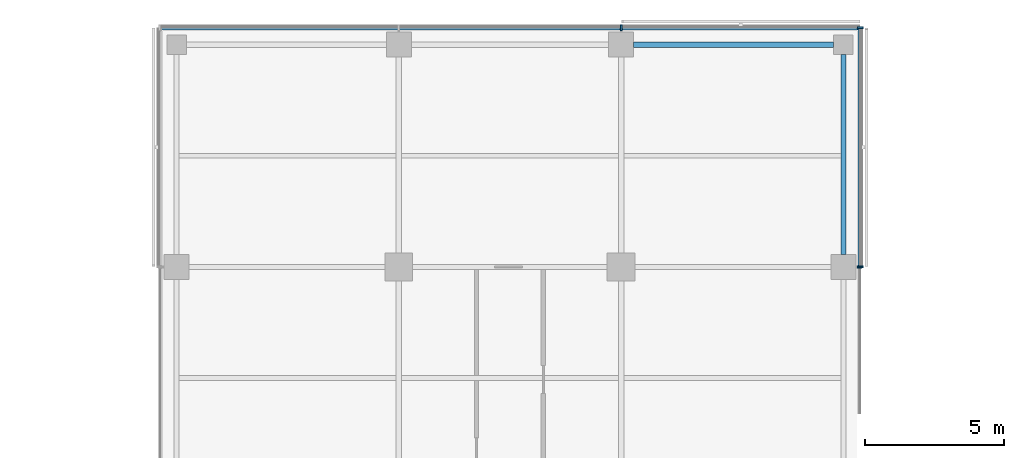
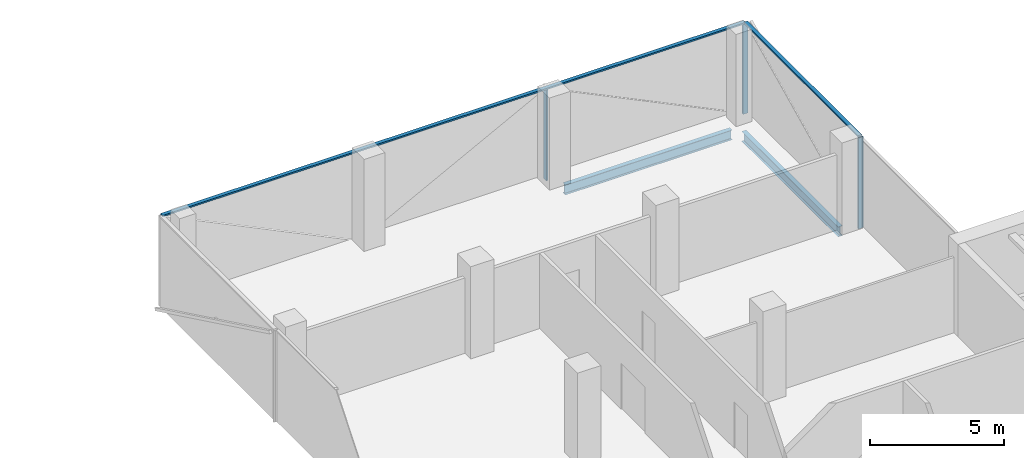
# One storey, part 10 of 22: 6 members, 2 beams, 3 elements without a shape of their own.
"""IFC4 building model written with IfcOpenShell, lengths in metres."""

from ifc_helpers import new_model, si_unit, direction, frame, origin, origin_2d, place, context, subcontext, project, spatial, rectangle, i_section, extrude, material, material_profile, profile_set, type_object, element, aggregate, save


model = new_model("IFC4")

# Units and contexts
model_context = context("Model", 3, precision=1e-05, world=origin(), true_north=direction((0.0, 1.0)))
body_context = subcontext(model_context, "Body", "Model", "MODEL_VIEW")
ifc_project = project(units=[si_unit("LENGTHUNIT", "METRE"), si_unit("AREAUNIT", "SQUARE_METRE"), si_unit("VOLUMEUNIT", "CUBIC_METRE"), si_unit("PLANEANGLEUNIT", "RADIAN"), si_unit("MASSUNIT", "GRAM", prefix="KILO")], contexts=[model_context])

# Site, building, storey
site_placement = place(None, origin())
site = spatial("IfcSite", under=ifc_project, at=site_placement, CompositionType="ELEMENT")
building_placement = place(site_placement, origin())
building = spatial("IfcBuilding", under=site, at=building_placement, Name="Crosswind Convention Tower", CompositionType="ELEMENT")
storey_placement = place(building_placement, frame((0.0, 0.0, 142.10009765625)))
storey = spatial("IfcBuildingStorey", under=building, at=storey_placement, Name="L29", CompositionType="ELEMENT", Elevation=142.10009765625)

# Beams
ifc_material_1 = material(Name="Steel S355", Category="steel")
ifc_material_profile_1 = material_profile(ifc_material_1, i_section(OverallWidth=0.18994140625, OverallDepth=0.45361328125, WebThickness=0.008544921875, FlangeThickness=0.0126953125, FilletRadius=0.01025390625, at=origin_2d()), Name="UB 457x191x67")
ifc_profile_set_1 = profile_set([ifc_material_profile_1], Name="Steel S355")
beam_type = type_object("IfcBeamType", Name="Edge beam UB 457x191x67", PredefinedType="SPANDREL", material=ifc_profile_set_1)
for number, where, z_axis, x_axis, name in (
    (1, (129.449951171875, 128.0, -0.52685546875), (1.0, 0.0, 0.0), (0.0, 1.0, 0.0), "B16 L29 edge beam 15"),
    (2, (137.0, 120.449951171875, -0.52685546875), (0.0, 1.0, 0.0), (-1.0, 0.0, 0.0), "B16 L29 edge beam 19"),
):
    element("IfcBeam", number, at=place(storey_placement, frame(where, z_axis=z_axis, x_axis=x_axis)), inside=storey, type_object=beam_type, Name=name, PredefinedType="SPANDREL", context=body_context, shape_type="SweptSolid", body=[
        extrude(i_section(OverallWidth=0.18994140625, OverallDepth=0.45361328125, WebThickness=0.008544921875, FlangeThickness=0.0126953125, FilletRadius=0.01025390625, at=origin_2d()), origin(), (0.0, 0.0, 1.0), 7.199951171875),
    ])

# Curtain wall, member
ifc_material_2 = material(Name="Aluminium unitised curtain wall", Category="aluminium")
curtain_wall_type_1 = type_object("IfcCurtainWallType", Name="CORE END SLOT WALL 160", PredefinedType="USERDEFINED", material=ifc_material_2)
curtain_wall_1_placement = place(storey_placement, origin())
curtain_wall_1 = element("IfcCurtainWall", 3, at=curtain_wall_1_placement, inside=storey, type_object=curtain_wall_type_1, Name="CW6 L29 N-E.1-1 slot", ObjectType="UNITISED", PredefinedType="USERDEFINED")
ifc_material_3 = material(Name="Aluminium mullion", Category="aluminium")
ifc_material_profile_2 = material_profile(ifc_material_3, rectangle(XDim=0.159912109375, YDim=0.050048828125, at=origin_2d()), Name="AL 160X50")
ifc_profile_set_2 = profile_set([ifc_material_profile_2], Name="Aluminium mullion")
member_type_1 = type_object("IfcMemberType", Name="MULLION 50X160", PredefinedType="MULLION", material=ifc_profile_set_2)
member_1_placement = place(storey_placement, frame((137.580078125, 119.97509765625, -0.300048828125), z_axis=(0.0, 0.0, 1.0), x_axis=(1.0, 0.0, 0.0)))
member_1 = element("IfcMember", 4, at=member_1_placement, type_object=member_type_1, Name="CW6 mullion 2", PredefinedType="MULLION", context=body_context, shape_type="SweptSolid", body=[
    extrude(rectangle(XDim=0.159912109375, YDim=0.050048828125, at=origin_2d()), origin(), (0.0, 0.0, 1.0), 4.14990234375),
])
aggregate(curtain_wall_1, [member_1])

# Curtain wall, members
curtain_wall_type_2 = type_object("IfcCurtainWallType", Name="OFFICE UNITISED WALL 220", PredefinedType="USERDEFINED", material=ifc_material_2)
curtain_wall_2_placement = place(storey_placement, origin())
curtain_wall_2 = element("IfcCurtainWall", 5, at=curtain_wall_2_placement, inside=storey, type_object=curtain_wall_type_2, Name="CW3 L29 N-E 1", ObjectType="UNITISED", PredefinedType="USERDEFINED")
ifc_material_profile_3 = material_profile(ifc_material_3, rectangle(XDim=0.219970703125, YDim=0.070068359375, at=origin_2d()), Name="AL 220X70")
ifc_profile_set_3 = profile_set([ifc_material_profile_3], Name="Aluminium mullion")
member_type_2 = type_object("IfcMemberType", Name="MULLION 70X220", PredefinedType="MULLION", material=ifc_profile_set_3)
member_2_placement = place(storey_placement, frame((137.610107421875, 120.0, -0.300048828125), z_axis=(0.0, 0.0, 1.0), x_axis=(1.0, 0.0, 0.0)))
member_2 = element("IfcMember", 6, at=member_2_placement, type_object=member_type_2, Name="CW3 mullion 1", PredefinedType="MULLION", context=body_context, shape_type="SweptSolid", body=[
    extrude(rectangle(XDim=0.219970703125, YDim=0.070068359375, at=origin_2d()), origin(), (0.0, 0.0, 1.0), 4.1298828125),
])
member_3_placement = place(storey_placement, frame((137.610107421875, 128.610107421875, -0.300048828125), z_axis=(0.0, 0.0, 1.0), x_axis=(1.0, 0.0, 0.0)))
member_3 = element("IfcMember", 7, at=member_3_placement, type_object=member_type_2, Name="CW3 mullion 2", PredefinedType="MULLION", context=body_context, shape_type="SweptSolid", body=[
    extrude(rectangle(XDim=0.219970703125, YDim=0.070068359375, at=origin_2d()), origin(), (0.0, 0.0, 1.0), 4.1298828125),
])

# Curtain wall, member
curtain_wall_3_placement = place(storey_placement, origin())
curtain_wall_3 = element("IfcCurtainWall", 8, at=curtain_wall_3_placement, inside=storey, type_object=curtain_wall_type_2, Name="CW3 L29 N-TIP 1", ObjectType="UNITISED", PredefinedType="USERDEFINED")
member_4_placement = place(storey_placement, frame((129.0, 128.610107421875, -0.300048828125), z_axis=(0.0, 0.0, 1.0), x_axis=(0.0, 1.0, 0.0)))
member_4 = element("IfcMember", 9, at=member_4_placement, type_object=member_type_2, Name="CW3 mullion 2", PredefinedType="MULLION", context=body_context, shape_type="SweptSolid", body=[
    extrude(rectangle(XDim=0.219970703125, YDim=0.070068359375, at=origin_2d()), origin(), (0.0, 0.0, 1.0), 4.1298828125),
])

# Member
ifc_material_4 = material(Name="Aluminium transom", Category="aluminium")
ifc_material_profile_4 = material_profile(ifc_material_4, rectangle(XDim=0.159912109375, YDim=0.070068359375, at=origin_2d()), Name="AL 160X70")
ifc_profile_set_4 = profile_set([ifc_material_profile_4], Name="Aluminium transom")
member_type_3 = type_object("IfcMemberType", Name="TRANSOM 70X160", PredefinedType="USERDEFINED", material=ifc_profile_set_4)
member_5_placement = place(storey_placement, frame((137.610107421875, 120.034912109375, 3.864990234375), z_axis=(0.0, 1.0, 0.0), x_axis=(-1.0, 0.0, 0.0)))
member_5 = element("IfcMember", 10, at=member_5_placement, type_object=member_type_3, Name="CW3 transom", ObjectType="TRANSOM", PredefinedType="USERDEFINED", context=body_context, shape_type="SweptSolid", body=[
    extrude(rectangle(XDim=0.159912109375, YDim=0.070068359375, at=origin_2d()), origin(), (0.0, 0.0, 1.0), 8.5400390625),
])

aggregate(curtain_wall_2, [member_2, member_3, member_5])

member_6_placement = place(storey_placement, frame((137.574951171875, 128.610107421875, 3.864990234375), z_axis=(-1.0, 0.0, 0.0), x_axis=(0.0, -1.0, 0.0)))
member_6 = element("IfcMember", 11, at=member_6_placement, type_object=member_type_3, Name="CW3 transom", ObjectType="TRANSOM", PredefinedType="USERDEFINED", context=body_context, shape_type="SweptSolid", body=[
    extrude(rectangle(XDim=0.159912109375, YDim=0.070068359375, at=origin_2d()), origin(), (0.0, 0.0, 1.0), 25.14990234375),
])

aggregate(curtain_wall_3, [member_4, member_6])

save(model, "model.ifc")
